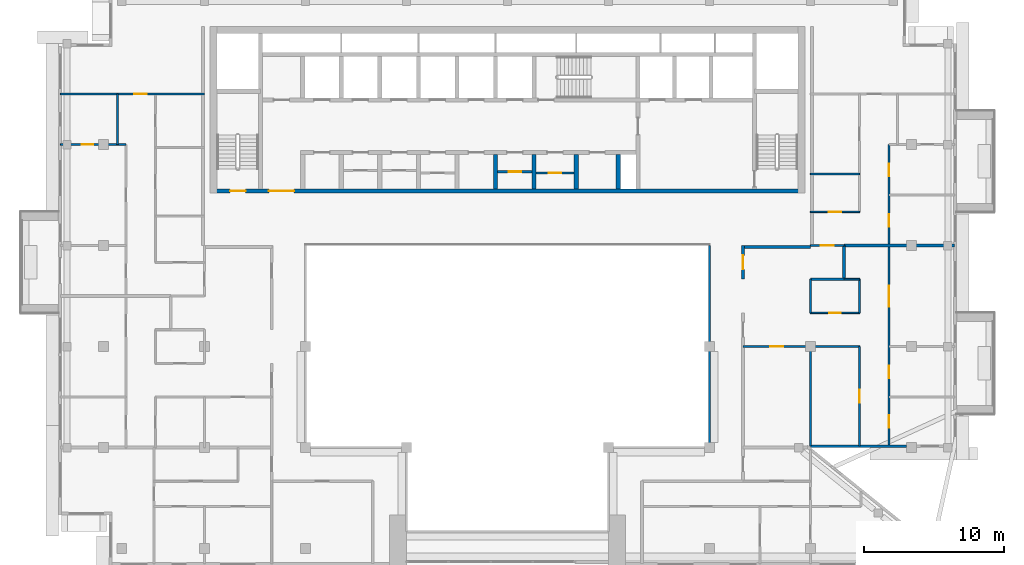
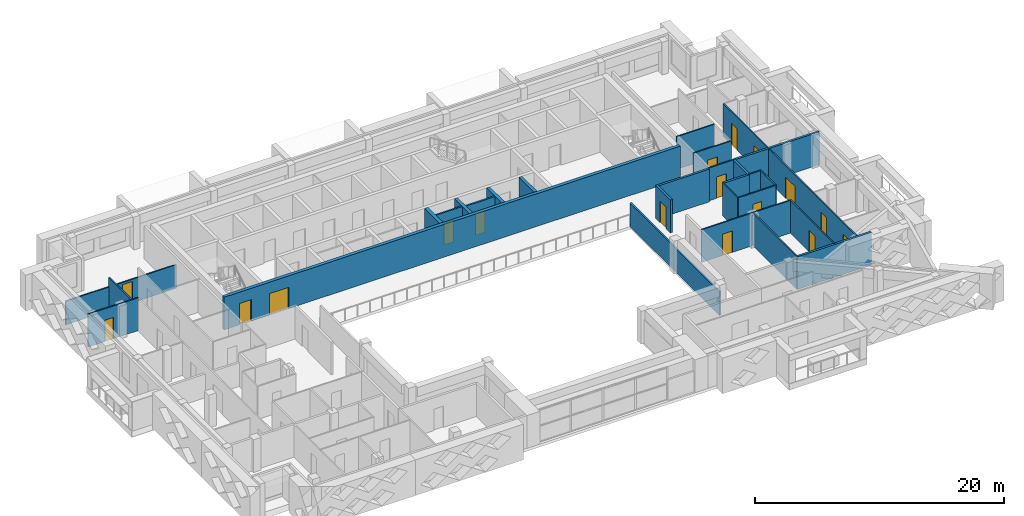
# One storey, part 9 of 19: 28 walls, 17 doors, 17 openings.
"""IFC4 building model written with IfcOpenShell, lengths in metres."""

import ifcopenshell
import ifcopenshell.guid

model = None  # the IFC model being written
_history = None  # IfcOwnerHistory: only IFC2X3 demands one
_inside = {}  # id of a spatial element -> (the spatial element, [elements in it])
_under = {}  # id of a project, library or spatial element -> (it, [spatial elements below it])
_declared = {}  # id of a project -> (the project, [libraries it declares])
_typed = {}  # id of a type object -> (the type object, [elements of that type])
_made_of = {}  # id of a material, layer set ... -> (it, [elements and type objects made of it])


def new_model(schema):
    """Start an empty IFC model of exactly this schema.

    Asked for "IFC4X3", IfcOpenShell would pick the latest addendum, in which some entities
    have other attributes; the version numbers below select the first issue.
    IFC2X3 requires an IfcOwnerHistory on every rooted entity: one is made here for all.
    """
    global model, _history
    if schema == "IFC4X3":
        model = ifcopenshell.file(schema_version=(4, 3, 0, 0))
    else:
        model = ifcopenshell.file(schema=schema)
    _inside.clear()
    _under.clear()
    _declared.clear()
    _typed.clear()
    _made_of.clear()
    _history = None
    if model.schema == "IFC2X3":
        org = make("IfcOrganization", Name="unknown")
        user = make(
            "IfcPersonAndOrganization",
            ThePerson=make("IfcPerson", FamilyName="unknown"),
            TheOrganization=org,
        )
        app = make(
            "IfcApplication",
            ApplicationDeveloper=org,
            Version="unknown",
            ApplicationFullName="unknown",
            ApplicationIdentifier="unknown",
        )
        _history = make(
            "IfcOwnerHistory",
            OwningUser=user,
            OwningApplication=app,
            ChangeAction="ADDED",
            CreationDate=0,
        )
    return model


def make(cls, **values):
    """One entity of the class cls with the attributes given. An attribute that is None is left unset."""
    return model.create_entity(
        cls, **{name: value for name, value in values.items() if value is not None}
    )


def rooted(cls, **values):
    """An entity with a GlobalId (a new one), such as an element, a storey or a relation."""
    return make(cls, GlobalId=ifcopenshell.guid.new(), OwnerHistory=_history, **values)


def si_unit(unit_type, name, prefix=None):
    """IfcSIUnit, for example si_unit("LENGTHUNIT", "METRE", prefix="MILLI")."""
    return make("IfcSIUnit", UnitType=unit_type, Prefix=prefix, Name=name)


def assignment(units):
    """IfcUnitAssignment: the units of a project."""
    return None if units is None else make("IfcUnitAssignment", Units=units)


def point(xyz):
    """IfcCartesianPoint."""
    return None if xyz is None else make("IfcCartesianPoint", Coordinates=xyz)


def direction(xyz):
    """IfcDirection."""
    return None if xyz is None else make("IfcDirection", DirectionRatios=xyz)


def frame(location, z_axis=None, x_axis=None):
    """IfcAxis2Placement3D, a coordinate frame: its origin and axes. An axis left out is left unset."""
    return make(
        "IfcAxis2Placement3D",
        Location=point(location),
        Axis=direction(z_axis),
        RefDirection=direction(x_axis),
    )


def frame_2d(location, x_axis=None):
    """IfcAxis2Placement2D, a coordinate frame in the plane: its origin and x axis."""
    return make(
        "IfcAxis2Placement2D", Location=point(location), RefDirection=direction(x_axis)
    )


def origin():
    """The frame at (0, 0, 0) with its axes left unset."""
    return frame((0.0, 0.0, 0.0))


def place(relative_to, where):
    """IfcLocalPlacement: puts the frame where relative to a parent placement (None: the world)."""
    return make(
        "IfcLocalPlacement", PlacementRelTo=relative_to, RelativePlacement=where
    )


def context(
    kind, dimensions, precision=None, world=None, true_north=None, identifier=None
):
    """IfcGeometricRepresentationContext, for example the 3D "Model" context."""
    return make(
        "IfcGeometricRepresentationContext",
        ContextIdentifier=identifier,
        ContextType=kind,
        CoordinateSpaceDimension=dimensions,
        Precision=precision,
        WorldCoordinateSystem=world,
        TrueNorth=true_north,
    )


def subcontext(parent, identifier, kind, view, scale=None):
    """IfcGeometricRepresentationSubContext, for example "Body" below "Model"."""
    return make(
        "IfcGeometricRepresentationSubContext",
        ContextIdentifier=identifier,
        ContextType=kind,
        ParentContext=parent,
        TargetScale=scale,
        TargetView=view,
    )


def project(units=None, contexts=None):
    """IfcProject with its units and contexts."""
    return rooted(
        "IfcProject",
        Name="project",
        RepresentationContexts=contexts,
        UnitsInContext=assignment(units),
    )


def spatial(cls, under=None, at=None, **own):
    """A site, building, storey or space (cls), placed at a placement, below another one or the project."""
    s = rooted(cls, ObjectPlacement=at, **own)
    if under is not None:
        _under.setdefault(under.id(), (under, []))[1].append(s)
    return s


def profile(cls, at=None, kind="AREA", **sizes):
    """A parametric profile (cls). Its sizes go by their IFC names, for example OverallWidth=200.0."""
    return make(cls, ProfileType=kind, Position=at, **sizes)


def rectangle(**sizes):
    """IfcRectangleProfileDef."""
    return profile("IfcRectangleProfileDef", **sizes)


def extrude(swept, where, along, depth):
    """IfcExtrudedAreaSolid: the profile swept, set in the frame where, extruded along a direction by depth."""
    return make(
        "IfcExtrudedAreaSolid",
        SweptArea=swept,
        Position=where,
        ExtrudedDirection=direction(along),
        Depth=depth,
    )


def shape(context_of_items, identifier, shape_type, items):
    """IfcShapeRepresentation: the items that make up one representation, for example the "Body"."""
    return make(
        "IfcShapeRepresentation",
        ContextOfItems=context_of_items,
        RepresentationIdentifier=identifier,
        RepresentationType=shape_type,
        Items=items,
    )


def material(Name=None, Category=None):
    """IfcMaterial."""
    return make("IfcMaterial", Name=Name, Category=Category)


def layer(
    of_material, thickness, ventilated=None, Name=None, Category=None, Priority=None
):
    """IfcMaterialLayer: one layer of a wall or slab, of a material (None: an air gap)."""
    return make(
        "IfcMaterialLayer",
        Material=of_material,
        LayerThickness=thickness,
        IsVentilated=ventilated,
        Name=Name,
        Category=Category,
        Priority=Priority,
    )


def layer_set(layers, Name=None):
    """IfcMaterialLayerSet."""
    return make("IfcMaterialLayerSet", MaterialLayers=layers, LayerSetName=Name)


def made_of(thing, what):
    """Note that an element or type object is made of a material, layer set ...; save() writes the relation."""
    if what is not None:
        _made_of.setdefault(what.id(), (what, []))[1].append(thing)
    return thing


def type_object(cls, material=None, **own):
    """A type object (cls), such as IfcWallType, which elements share."""
    return made_of(rooted(cls, **own), material)


def element(
    cls,
    number,
    at=None,
    inside=None,
    cuts=None,
    type_object=None,
    material=None,
    context=None,
    identifier="Body",
    shape_type=None,
    held_by="IfcProductDefinitionShape",
    body=None,
    shapes=None,
    **own,
):
    """One element of the class cls, such as IfcWall. Its Tag is "e" and its number.

    at: its placement. inside: the storey or other place that contains it. cuts: it is an
    opening in that element (IfcRelVoidsElement). A single representation is given by context,
    identifier, shape_type and body (its items); several are given by shapes. held_by: the class
    of the entity that holds the representations. save() writes the other relations.
    """
    e = rooted(cls, Tag="e%d" % number, ObjectPlacement=at, **own)
    if body is not None:
        shapes = [shape(context, identifier, shape_type, body)]
    if shapes is not None:
        e.Representation = make(held_by, Representations=shapes)
    if inside is not None:
        _inside.setdefault(inside.id(), (inside, []))[1].append(e)
    if cuts is not None:
        rooted(
            "IfcRelVoidsElement", RelatingBuildingElement=cuts, RelatedOpeningElement=e
        )
    if type_object is not None:
        _typed.setdefault(type_object.id(), (type_object, []))[1].append(e)
    return made_of(e, material)


def fill(opening, filler):
    """IfcRelFillsElement: the door or window that sits in an opening."""
    return rooted(
        "IfcRelFillsElement",
        RelatingOpeningElement=opening,
        RelatedBuildingElement=filler,
    )


def aggregate(whole, parts):
    """IfcRelAggregates: a whole, such as a stair, and the parts it consists of."""
    return rooted("IfcRelAggregates", RelatingObject=whole, RelatedObjects=parts)


def save(model, path):
    """Write the relations noted so far, then the file.

    IfcRelAggregates (storeys below a building ...), IfcRelContainedInSpatialStructure (elements
    in a storey), IfcRelDefinesByType, IfcRelAssociatesMaterial and IfcRelDeclares: one each for
    every whole, place, type object, material and project.
    """
    for whole, parts in _under.values():
        aggregate(whole, parts)
    for where, things in _inside.values():
        rooted(
            "IfcRelContainedInSpatialStructure",
            RelatedElements=things,
            RelatingStructure=where,
        )
    for kind, things in _typed.values():
        rooted("IfcRelDefinesByType", RelatedObjects=things, RelatingType=kind)
    for what, things in _made_of.values():
        rooted("IfcRelAssociatesMaterial", RelatedObjects=things, RelatingMaterial=what)
    for by, libraries in _declared.values():
        rooted("IfcRelDeclares", RelatingContext=by, RelatedDefinitions=libraries)
    model.write(path)


model = new_model("IFC4")

# Units and contexts
model_context = context("Model", 3, precision=1e-05, world=origin(), true_north=direction((0.0, 1.0)))
body_context = subcontext(model_context, "Body", "Model", "MODEL_VIEW")
ifc_project = project(units=[si_unit("LENGTHUNIT", "METRE"), si_unit("AREAUNIT", "SQUARE_METRE"), si_unit("VOLUMEUNIT", "CUBIC_METRE"), si_unit("PLANEANGLEUNIT", "RADIAN"), si_unit("MASSUNIT", "GRAM", prefix="KILO")], contexts=[model_context])

# Site, building, storey
site_placement = place(None, origin())
site = spatial("IfcSite", under=ifc_project, at=site_placement, CompositionType="ELEMENT")
building_placement = place(site_placement, origin())
building = spatial("IfcBuilding", under=site, at=building_placement, Name="Saffron Iwan Residences", CompositionType="ELEMENT")
storey_placement = place(building_placement, frame((0.0, 0.0, 253.5)))
storey = spatial("IfcBuildingStorey", under=building, at=storey_placement, Name="L68", CompositionType="ELEMENT", Elevation=253.5)

# Wall
ifc_material_1 = material(Name="Fire-rated glazing", Category="glass")
ifc_layer_1 = layer(ifc_material_1, 0.14990234375)
ifc_layer_set_1 = layer_set([ifc_layer_1], Name="Fire-rated glazing")
wall_type_1 = type_object("IfcWallType", Name="Atrium glazed screen 150", PredefinedType="SOLIDWALL", material=ifc_layer_set_1)
wall_1_placement = place(storey_placement, frame((64.800048828125, 48.0, 0.0), z_axis=(0.0, 0.0, 1.0), x_axis=(0.0, 1.0, 0.0)))
element("IfcWall", 1, at=wall_1_placement, inside=storey, type_object=wall_type_1, Name="W-L68-SCREEN-v64.8-48", PredefinedType="SOLIDWALL", context=body_context, shape_type="SweptSolid", body=[
    extrude(rectangle(XDim=14.39990234375, YDim=0.14990234375, at=frame_2d((7.199951171875, 0.0))), origin(), (0.0, 0.0, 1.0), 2.320068359375),
])

# Wall, opening, door
ifc_material_2 = material(Name="Fire-rated plasterboard partition")
ifc_layer_2 = layer(ifc_material_2, 0.14990234375)
ifc_layer_set_2 = layer_set([ifc_layer_2], Name="Fire-rated plasterboard partition")
wall_type_2 = type_object("IfcWallType", Name="Core partition 150", PredefinedType="PARTITIONING", material=ifc_layer_set_2)
wall_2_placement = place(storey_placement, frame((49.699951171875, 67.66259765625, 0.0), z_axis=(0.0, 0.0, 1.0), x_axis=(1.0, 0.0, 0.0)))
wall_2 = element("IfcWall", 2, at=wall_2_placement, inside=storey, type_object=wall_type_2, Name="Core partition P04", PredefinedType="PARTITIONING", context=body_context, shape_type="SweptSolid", body=[
    extrude(rectangle(XDim=2.449951171875, YDim=0.14990234375, at=frame_2d((1.22509765625, 0.0))), origin(), (0.0, 0.0, 1.0), 3.219970703125),
])
opening_1_placement = place(wall_2_placement, frame((0.77490234375, 0.0, 0.0)))
opening_1 = element("IfcOpeningElement", 3, at=opening_1_placement, cuts=wall_2, Name="Opening SB", PredefinedType="OPENING", context=body_context, shape_type="SweptSolid", body=[
    extrude(rectangle(XDim=0.89990234375, YDim=2.10009765625, at=frame_2d((0.449951171875, 1.050048828125))), frame((0.0, 0.0849609375, 0.0), z_axis=(0.0, -1.0, 0.0), x_axis=(1.0, 0.0, 0.0)), (0.0, 0.0, 1.0), 0.169921875),
])
ifc_material_3 = material(Name="Steel fire door", Category="steel")
door_type_1 = type_object("IfcDoorType", Name="Store door 900", OperationType="NOTDEFINED", PredefinedType="DOOR", material=ifc_material_3)
door_1_placement = place(opening_1_placement, origin())
door_1 = element("IfcDoor", 4, at=door_1_placement, inside=storey, type_object=door_type_1, Name="Door Records store", OperationType="SINGLE_SWING_LEFT", OverallHeight=2.10009765625, OverallWidth=0.89990234375, PredefinedType="DOOR", context=body_context, shape_type="SweptSolid", body=[
    extrude(rectangle(XDim=0.89990234375, YDim=2.10009765625, at=frame_2d((0.449951171875, 1.050048828125))), frame((0.0, 0.02490234375, 0.0), z_axis=(0.0, -1.0, 0.0), x_axis=(1.0, 0.0, 0.0)), (0.0, 0.0, 1.0), 0.050048828125),
])
fill(opening_1, door_1)

wall_3_placement = place(storey_placement, frame((52.449951171875, 67.5654296875, 0.0), z_axis=(0.0, 0.0, 1.0), x_axis=(1.0, 0.0, 0.0)))
wall_3 = element("IfcWall", 5, at=wall_3_placement, inside=storey, type_object=wall_type_2, Name="Core partition P05", PredefinedType="PARTITIONING", context=body_context, shape_type="SweptSolid", body=[
    extrude(rectangle(XDim=2.699951171875, YDim=0.14990234375, at=frame_2d((1.35009765625, 0.0))), origin(), (0.0, 0.0, 1.0), 3.219970703125),
])
opening_2_placement = place(wall_3_placement, frame((0.89990234375, 0.0, 0.0)))
opening_2 = element("IfcOpeningElement", 6, at=opening_2_placement, cuts=wall_3, Name="Opening SB", PredefinedType="OPENING", context=body_context, shape_type="SweptSolid", body=[
    extrude(rectangle(XDim=0.89990234375, YDim=2.10009765625, at=frame_2d((0.449951171875, 1.050048828125))), frame((0.0, 0.0849609375, 0.0), z_axis=(0.0, -1.0, 0.0), x_axis=(1.0, 0.0, 0.0)), (0.0, 0.0, 1.0), 0.169921875),
])
door_2_placement = place(opening_2_placement, origin())
door_2 = element("IfcDoor", 7, at=door_2_placement, inside=storey, type_object=door_type_1, Name="Door Equipment store", OperationType="SINGLE_SWING_RIGHT", OverallHeight=2.10009765625, OverallWidth=0.89990234375, PredefinedType="DOOR", context=body_context, shape_type="SweptSolid", body=[
    extrude(rectangle(XDim=0.89990234375, YDim=2.10009765625, at=frame_2d((0.449951171875, 1.050048828125))), frame((0.0, 0.02490234375, 0.0), z_axis=(0.0, -1.0, 0.0), x_axis=(1.0, 0.0, 0.0)), (0.0, 0.0, 1.0), 0.050048828125),
])
fill(opening_2, door_2)

# Walls
ifc_material_4 = material(Name="Concrete C40/50", Category="concrete")
ifc_layer_3 = layer(ifc_material_4, 0.199951171875)
ifc_layer_set_3 = layer_set([ifc_layer_3], Name="Concrete C40/50")
wall_type_3 = type_object("IfcWallType", Name="EXTERNAL WALL 200", PredefinedType="SOLIDWALL", material=ifc_layer_set_3)
wall_4_placement = place(storey_placement, frame((71.987060546875, 48.10009765625, 0.0), z_axis=(0.0, 0.0, 1.0), x_axis=(1.0, 0.0, 0.0)))
element("IfcWall", 8, at=wall_4_placement, inside=storey, type_object=wall_type_3, Name="External wall L68 F1.0", PredefinedType="SOLIDWALL", context=body_context, shape_type="SweptSolid", body=[
    extrude(rectangle(XDim=6.863037109375, YDim=0.199951171875, at=frame_2d((3.431640625, 0.0))), origin(), (0.0, 0.0, 1.0), 3.219970703125),
])
ifc_material_5 = material(Name="Fire-rated gypsum board wall")
ifc_layer_4 = layer(ifc_material_5, 0.199951171875)
ifc_layer_set_4 = layer_set([ifc_layer_4], Name="Fire-rated gypsum board wall")
wall_type_4 = type_object("IfcWallType", Name="Flat demising wall 200", PredefinedType="SOLIDWALL", material=ifc_layer_set_4)
wall_5_placement = place(storey_placement, frame((72.0, 60.0, 0.0), z_axis=(0.0, 0.0, 1.0), x_axis=(1.0, 0.0, 0.0)))
element("IfcWall", 9, at=wall_5_placement, inside=storey, type_object=wall_type_4, Name="W-L68-DEMISE-h60-72", PredefinedType="SOLIDWALL", context=body_context, shape_type="SweptSolid", body=[
    extrude(rectangle(XDim=2.39990234375, YDim=0.199951171875, at=frame_2d((1.199951171875, 0.0))), origin(), (0.0, 0.0, 1.0), 3.219970703125),
])
wall_6_placement = place(storey_placement, frame((74.39990234375, 62.39990234375, 0.0), z_axis=(0.0, 0.0, 1.0), x_axis=(1.0, 0.0, 0.0)))
element("IfcWall", 10, at=wall_6_placement, inside=storey, type_object=wall_type_4, Name="W-L68-DEMISE-h62.4-74.4", PredefinedType="SOLIDWALL", context=body_context, shape_type="SweptSolid", body=[
    extrude(rectangle(XDim=7.875, YDim=0.199951171875, at=frame_2d((3.9375, 0.0))), origin(), (0.0, 0.0, 1.0), 3.219970703125),
])
wall_7_placement = place(storey_placement, frame((74.39990234375, 60.0, 0.0), z_axis=(0.0, 0.0, 1.0), x_axis=(0.0, 1.0, 0.0)))
element("IfcWall", 11, at=wall_7_placement, inside=storey, type_object=wall_type_4, Name="W-L68-DEMISE-v74.4-60", PredefinedType="SOLIDWALL", context=body_context, shape_type="SweptSolid", body=[
    extrude(rectangle(XDim=2.39990234375, YDim=0.199951171875, at=frame_2d((1.199951171875, 0.0))), origin(), (0.0, 0.0, 1.0), 3.219970703125),
])

# Wall, opening, door
ifc_material_6 = material(Name="Gypsum board partition")
ifc_layer_5 = layer(ifc_material_6, 0.1201171875)
ifc_layer_set_5 = layer_set([ifc_layer_5], Name="Gypsum board partition")
wall_type_5 = type_object("IfcWallType", Name="Flat partition 120", PredefinedType="PARTITIONING", material=ifc_layer_set_5)
wall_8_placement = place(storey_placement, frame((67.199951171875, 55.199951171875, 0.0), z_axis=(0.0, 0.0, 1.0), x_axis=(1.0, 0.0, 0.0)))
wall_8 = element("IfcWall", 12, at=wall_8_placement, inside=storey, type_object=wall_type_5, Name="W-L68-PART-h55.2-67.2", PredefinedType="PARTITIONING", context=body_context, shape_type="SweptSolid", body=[
    extrude(rectangle(XDim=8.300048828125, YDim=0.1201171875, at=frame_2d((4.14990234375, 0.0))), origin(), (0.0, 0.0, 1.0), 3.219970703125),
])
opening_3_placement = place(wall_8_placement, frame((1.949951171875, 0.0, 0.0)))
opening_3 = element("IfcOpeningElement", 13, at=opening_3_placement, cuts=wall_8, Name="Opening FD2", PredefinedType="OPENING", context=body_context, shape_type="SweptSolid", body=[
    extrude(rectangle(XDim=0.89990234375, YDim=2.10009765625, at=frame_2d((0.449951171875, 1.050048828125))), frame((0.0, 0.070068359375, 0.0), z_axis=(0.0, -1.0, 0.0), x_axis=(1.0, 0.0, 0.0)), (0.0, 0.0, 1.0), 0.14013671875),
])
ifc_material_7 = material(Name="Timber door", Category="wood")
door_type_2 = type_object("IfcDoorType", Name="Flat door 900", OperationType="NOTDEFINED", PredefinedType="DOOR", material=ifc_material_7)
door_3_placement = place(opening_3_placement, origin())
door_3 = element("IfcDoor", 14, at=door_3_placement, inside=storey, type_object=door_type_2, Name="Door L68-019", OperationType="SINGLE_SWING_LEFT", OverallHeight=2.10009765625, OverallWidth=0.89990234375, PredefinedType="DOOR", context=body_context, shape_type="SweptSolid", body=[
    extrude(rectangle(XDim=0.89990234375, YDim=2.10009765625, at=frame_2d((0.449951171875, 1.050048828125))), frame((0.0, 0.02490234375, 0.0), z_axis=(0.0, -1.0, 0.0), x_axis=(1.0, 0.0, 0.0)), (0.0, 0.0, 1.0), 0.050048828125),
])
fill(opening_3, door_3)

wall_9_placement = place(storey_placement, frame((72.0, 57.60009765625, 0.0), z_axis=(0.0, 0.0, 1.0), x_axis=(1.0, 0.0, 0.0)))
wall_9 = element("IfcWall", 15, at=wall_9_placement, inside=storey, type_object=wall_type_5, Name="W-L68-PART-h57.6-72", PredefinedType="PARTITIONING", context=body_context, shape_type="SweptSolid", body=[
    extrude(rectangle(XDim=3.5, YDim=0.1201171875, at=frame_2d((1.75, 0.0))), origin(), (0.0, 0.0, 1.0), 3.219970703125),
])
opening_4_placement = place(wall_9_placement, frame((1.35009765625, 0.0, 0.0)))
opening_4 = element("IfcOpeningElement", 16, at=opening_4_placement, cuts=wall_9, Name="Opening FD3", PredefinedType="OPENING", context=body_context, shape_type="SweptSolid", body=[
    extrude(rectangle(XDim=0.800048828125, YDim=2.10009765625, at=frame_2d((0.39990234375, 1.050048828125))), frame((0.0, 0.070068359375, 0.0), z_axis=(0.0, -1.0, 0.0), x_axis=(1.0, 0.0, 0.0)), (0.0, 0.0, 1.0), 0.14013671875),
])
door_type_3 = type_object("IfcDoorType", Name="Bathroom door 800", OperationType="NOTDEFINED", PredefinedType="DOOR", material=ifc_material_7)
door_4_placement = place(opening_4_placement, origin())
door_4 = element("IfcDoor", 17, at=door_4_placement, inside=storey, type_object=door_type_3, Name="Door L68-018", OperationType="SINGLE_SWING_LEFT", OverallHeight=2.10009765625, OverallWidth=0.800048828125, PredefinedType="DOOR", context=body_context, shape_type="SweptSolid", body=[
    extrude(rectangle(XDim=0.800048828125, YDim=2.10009765625, at=frame_2d((0.39990234375, 1.050048828125))), frame((0.0, 0.02490234375, 0.0), z_axis=(0.0, -1.0, 0.0), x_axis=(1.0, 0.0, 0.0)), (0.0, 0.0, 1.0), 0.050048828125),
])
fill(opening_4, door_4)

# Wall
wall_10_placement = place(storey_placement, frame((74.39990234375, 60.0, 0.0), z_axis=(0.0, 0.0, 1.0), x_axis=(1.0, 0.0, 0.0)))
element("IfcWall", 18, at=wall_10_placement, inside=storey, type_object=wall_type_5, Name="W-L68-PART-h60-74.4", PredefinedType="PARTITIONING", context=body_context, shape_type="SweptSolid", body=[
    extrude(rectangle(XDim=1.10009765625, YDim=0.1201171875, at=frame_2d((0.550048828125, 0.0))), origin(), (0.0, 0.0, 1.0), 3.219970703125),
])

# Wall, opening, door
wall_11_placement = place(storey_placement, frame((72.0, 62.39990234375, 0.0), z_axis=(0.0, 0.0, 1.0), x_axis=(1.0, 0.0, 0.0)))
wall_11 = element("IfcWall", 19, at=wall_11_placement, inside=storey, type_object=wall_type_5, Name="W-L68-PART-h62.4-72", PredefinedType="PARTITIONING", context=body_context, shape_type="SweptSolid", body=[
    extrude(rectangle(XDim=2.39990234375, YDim=0.1201171875, at=frame_2d((1.199951171875, 0.0))), origin(), (0.0, 0.0, 1.0), 3.219970703125),
])
opening_5_placement = place(wall_11_placement, frame((0.75, 0.0, 0.0)))
opening_5 = element("IfcOpeningElement", 20, at=opening_5_placement, cuts=wall_11, Name="Opening FD2", PredefinedType="OPENING", context=body_context, shape_type="SweptSolid", body=[
    extrude(rectangle(XDim=0.89990234375, YDim=2.10009765625, at=frame_2d((0.449951171875, 1.050048828125))), frame((0.0, 0.070068359375, 0.0), z_axis=(0.0, -1.0, 0.0), x_axis=(1.0, 0.0, 0.0)), (0.0, 0.0, 1.0), 0.14013671875),
])
door_5_placement = place(opening_5_placement, origin())
door_5 = element("IfcDoor", 21, at=door_5_placement, inside=storey, type_object=door_type_2, Name="Door L68-029", OperationType="SINGLE_SWING_RIGHT", OverallHeight=2.10009765625, OverallWidth=0.89990234375, PredefinedType="DOOR", context=body_context, shape_type="SweptSolid", body=[
    extrude(rectangle(XDim=0.89990234375, YDim=2.10009765625, at=frame_2d((0.449951171875, 1.050048828125))), frame((0.0, 0.02490234375, 0.0), z_axis=(0.0, -1.0, 0.0), x_axis=(1.0, 0.0, 0.0)), (0.0, 0.0, 1.0), 0.050048828125),
])
fill(opening_5, door_5)

wall_12_placement = place(storey_placement, frame((72.0, 64.800048828125, 0.0), z_axis=(0.0, 0.0, 1.0), x_axis=(1.0, 0.0, 0.0)))
wall_12 = element("IfcWall", 22, at=wall_12_placement, inside=storey, type_object=wall_type_5, Name="W-L68-PART-h64.8-72", PredefinedType="PARTITIONING", context=body_context, shape_type="SweptSolid", body=[
    extrude(rectangle(XDim=3.5, YDim=0.1201171875, at=frame_2d((1.75, 0.0))), origin(), (0.0, 0.0, 1.0), 3.219970703125),
])
opening_6_placement = place(wall_12_placement, frame((1.300048828125, 0.0, 0.0)))
opening_6 = element("IfcOpeningElement", 23, at=opening_6_placement, cuts=wall_12, Name="Opening FD2", PredefinedType="OPENING", context=body_context, shape_type="SweptSolid", body=[
    extrude(rectangle(XDim=0.89990234375, YDim=2.10009765625, at=frame_2d((0.449951171875, 1.050048828125))), frame((0.0, 0.070068359375, 0.0), z_axis=(0.0, -1.0, 0.0), x_axis=(1.0, 0.0, 0.0)), (0.0, 0.0, 1.0), 0.14013671875),
])
door_6_placement = place(opening_6_placement, origin())
door_6 = element("IfcDoor", 24, at=door_6_placement, inside=storey, type_object=door_type_2, Name="Door L68-035", OperationType="SINGLE_SWING_RIGHT", OverallHeight=2.10009765625, OverallWidth=0.89990234375, PredefinedType="DOOR", context=body_context, shape_type="SweptSolid", body=[
    extrude(rectangle(XDim=0.89990234375, YDim=2.10009765625, at=frame_2d((0.449951171875, 1.050048828125))), frame((0.0, 0.02490234375, 0.0), z_axis=(0.0, -1.0, 0.0), x_axis=(1.0, 0.0, 0.0)), (0.0, 0.0, 1.0), 0.050048828125),
])
fill(opening_6, door_6)

# Wall
wall_13_placement = place(storey_placement, frame((72.0, 67.5, 0.0), z_axis=(0.0, 0.0, 1.0), x_axis=(1.0, 0.0, 0.0)))
element("IfcWall", 25, at=wall_13_placement, inside=storey, type_object=wall_type_5, Name="W-L68-PART-h67.5-72", PredefinedType="PARTITIONING", context=body_context, shape_type="SweptSolid", body=[
    extrude(rectangle(XDim=3.5, YDim=0.1201171875, at=frame_2d((1.75, 0.0))), origin(), (0.0, 0.0, 1.0), 3.219970703125),
])

# Wall, opening, door
wall_14_placement = place(storey_placement, frame((18.52490234375, 69.60009765625, 0.0), z_axis=(0.0, 0.0, 1.0), x_axis=(1.0, 0.0, 0.0)))
wall_14 = element("IfcWall", 26, at=wall_14_placement, inside=storey, type_object=wall_type_5, Name="W-L68-PART-h69.6-18.525", PredefinedType="PARTITIONING", context=body_context, shape_type="SweptSolid", body=[
    extrude(rectangle(XDim=4.675048828125, YDim=0.1201171875, at=frame_2d((2.33740234375, 0.0))), origin(), (0.0, 0.0, 1.0), 3.219970703125),
])
opening_7_placement = place(wall_14_placement, frame((1.53759765625, 0.0, 0.0)))
opening_7 = element("IfcOpeningElement", 27, at=opening_7_placement, cuts=wall_14, Name="Opening FD3", PredefinedType="OPENING", context=body_context, shape_type="SweptSolid", body=[
    extrude(rectangle(XDim=0.800048828125, YDim=2.10009765625, at=frame_2d((0.39990234375, 1.050048828125))), frame((0.0, 0.070068359375, 0.0), z_axis=(0.0, -1.0, 0.0), x_axis=(1.0, 0.0, 0.0)), (0.0, 0.0, 1.0), 0.14013671875),
])
door_7_placement = place(opening_7_placement, origin())
door_7 = element("IfcDoor", 28, at=door_7_placement, inside=storey, type_object=door_type_3, Name="Door L68-024", OperationType="SINGLE_SWING_RIGHT", OverallHeight=2.10009765625, OverallWidth=0.800048828125, PredefinedType="DOOR", context=body_context, shape_type="SweptSolid", body=[
    extrude(rectangle(XDim=0.800048828125, YDim=2.10009765625, at=frame_2d((0.39990234375, 1.050048828125))), frame((0.0, 0.02490234375, 0.0), z_axis=(0.0, -1.0, 0.0), x_axis=(1.0, 0.0, 0.0)), (0.0, 0.0, 1.0), 0.050048828125),
])
fill(opening_7, door_7)

wall_15_placement = place(storey_placement, frame((18.52490234375, 73.199951171875, 0.0), z_axis=(0.0, 0.0, 1.0), x_axis=(1.0, 0.0, 0.0)))
wall_15 = element("IfcWall", 29, at=wall_15_placement, inside=storey, type_object=wall_type_5, Name="W-L68-PART-h73.2-18.525", PredefinedType="PARTITIONING", context=body_context, shape_type="SweptSolid", body=[
    extrude(rectangle(XDim=10.275146484375, YDim=0.1201171875, at=frame_2d((5.1376953125, 0.0))), origin(), (0.0, 0.0, 1.0), 2.320068359375),
])
opening_8_placement = place(wall_15_placement, frame((5.27490234375, 0.0, 0.0)))
opening_8 = element("IfcOpeningElement", 30, at=opening_8_placement, cuts=wall_15, Name="Opening FD2", PredefinedType="OPENING", context=body_context, shape_type="SweptSolid", body=[
    extrude(rectangle(XDim=0.89990234375, YDim=2.10009765625, at=frame_2d((0.449951171875, 1.050048828125))), frame((0.0, 0.070068359375, 0.0), z_axis=(0.0, -1.0, 0.0), x_axis=(1.0, 0.0, 0.0)), (0.0, 0.0, 1.0), 0.14013671875),
])
door_8_placement = place(opening_8_placement, origin())
door_8 = element("IfcDoor", 31, at=door_8_placement, inside=storey, type_object=door_type_2, Name="Door L68-025", OperationType="SINGLE_SWING_LEFT", OverallHeight=2.10009765625, OverallWidth=0.89990234375, PredefinedType="DOOR", context=body_context, shape_type="SweptSolid", body=[
    extrude(rectangle(XDim=0.89990234375, YDim=2.10009765625, at=frame_2d((0.449951171875, 1.050048828125))), frame((0.0, 0.02490234375, 0.0), z_axis=(0.0, -1.0, 0.0), x_axis=(1.0, 0.0, 0.0)), (0.0, 0.0, 1.0), 0.050048828125),
])
fill(opening_8, door_8)

# Walls
wall_16_placement = place(storey_placement, frame((22.60009765625, 69.60009765625, 0.0), z_axis=(0.0, 0.0, 1.0), x_axis=(0.0, 1.0, 0.0)))
element("IfcWall", 32, at=wall_16_placement, inside=storey, type_object=wall_type_5, Name="W-L68-PART-v22.6-69.6", PredefinedType="PARTITIONING", context=body_context, shape_type="SweptSolid", body=[
    extrude(rectangle(XDim=3.599853515625, YDim=0.1201171875, at=frame_2d((1.7998046875, 0.0))), origin(), (0.0, 0.0, 1.0), 3.219970703125),
])
wall_17_placement = place(storey_placement, frame((72.0, 48.125, 0.0), z_axis=(0.0, 0.0, 1.0), x_axis=(0.0, 1.0, 0.0)))
element("IfcWall", 33, at=wall_17_placement, inside=storey, type_object=wall_type_5, Name="W-L68-PART-v72-48.125", PredefinedType="PARTITIONING", context=body_context, shape_type="SweptSolid", body=[
    extrude(rectangle(XDim=7.074951171875, YDim=0.1201171875, at=frame_2d((3.53759765625, 0.0))), origin(), (0.0, 0.0, 1.0), 3.219970703125),
])
wall_18_placement = place(storey_placement, frame((72.0, 57.60009765625, 0.0), z_axis=(0.0, 0.0, 1.0), x_axis=(0.0, 1.0, 0.0)))
element("IfcWall", 34, at=wall_18_placement, inside=storey, type_object=wall_type_5, Name="W-L68-PART-v72-57.6", PredefinedType="PARTITIONING", context=body_context, shape_type="SweptSolid", body=[
    extrude(rectangle(XDim=2.39990234375, YDim=0.1201171875, at=frame_2d((1.199951171875, 0.0))), origin(), (0.0, 0.0, 1.0), 3.219970703125),
])

# Wall, opening, door
wall_19_placement = place(storey_placement, frame((75.5, 48.125, 0.0), z_axis=(0.0, 0.0, 1.0), x_axis=(0.0, 1.0, 0.0)))
wall_19 = element("IfcWall", 35, at=wall_19_placement, inside=storey, type_object=wall_type_5, Name="W-L68-PART-v75.5-48.125", PredefinedType="PARTITIONING", context=body_context, shape_type="SweptSolid", body=[
    extrude(rectangle(XDim=7.074951171875, YDim=0.1201171875, at=frame_2d((3.53759765625, 0.0))), origin(), (0.0, 0.0, 1.0), 3.219970703125),
])
opening_9_placement = place(wall_19_placement, frame((3.08740234375, 0.0, 0.0)))
opening_9 = element("IfcOpeningElement", 36, at=opening_9_placement, cuts=wall_19, Name="Opening FD2", PredefinedType="OPENING", context=body_context, shape_type="SweptSolid", body=[
    extrude(rectangle(XDim=0.89990234375, YDim=2.10009765625, at=frame_2d((0.449951171875, 1.050048828125))), frame((0.0, 0.070068359375, 0.0), z_axis=(0.0, -1.0, 0.0), x_axis=(1.0, 0.0, 0.0)), (0.0, 0.0, 1.0), 0.14013671875),
])
door_9_placement = place(opening_9_placement, origin())
door_9 = element("IfcDoor", 37, at=door_9_placement, inside=storey, type_object=door_type_2, Name="Door L68-017", OperationType="SINGLE_SWING_RIGHT", OverallHeight=2.10009765625, OverallWidth=0.89990234375, PredefinedType="DOOR", context=body_context, shape_type="SweptSolid", body=[
    extrude(rectangle(XDim=0.89990234375, YDim=2.10009765625, at=frame_2d((0.449951171875, 1.050048828125))), frame((0.0, 0.02490234375, 0.0), z_axis=(0.0, -1.0, 0.0), x_axis=(1.0, 0.0, 0.0)), (0.0, 0.0, 1.0), 0.050048828125),
])
fill(opening_9, door_9)

# Wall
wall_20_placement = place(storey_placement, frame((75.5, 57.60009765625, 0.0), z_axis=(0.0, 0.0, 1.0), x_axis=(0.0, 1.0, 0.0)))
element("IfcWall", 38, at=wall_20_placement, inside=storey, type_object=wall_type_5, Name="W-L68-PART-v75.5-57.6", PredefinedType="PARTITIONING", context=body_context, shape_type="SweptSolid", body=[
    extrude(rectangle(XDim=2.39990234375, YDim=0.1201171875, at=frame_2d((1.199951171875, 0.0))), origin(), (0.0, 0.0, 1.0), 3.219970703125),
])

# Wall, openings, doors
wall_21_placement = place(storey_placement, frame((77.60009765625, 48.125, 0.0), z_axis=(0.0, 0.0, 1.0), x_axis=(0.0, 1.0, 0.0)))
wall_21 = element("IfcWall", 39, at=wall_21_placement, inside=storey, type_object=wall_type_5, Name="W-L68-PART-v77.6-48.125", PredefinedType="PARTITIONING", context=body_context, shape_type="SweptSolid", body=[
    extrude(rectangle(XDim=21.47509765625, YDim=0.1201171875, at=frame_2d((10.737548828125, 0.0))), origin(), (0.0, 0.0, 1.0), 3.219970703125),
])
opening_10_placement = place(wall_21_placement, frame((1.28759765625, 0.0, 0.0)))
opening_10 = element("IfcOpeningElement", 40, at=opening_10_placement, cuts=wall_21, Name="Opening FD2", PredefinedType="OPENING", context=body_context, shape_type="SweptSolid", body=[
    extrude(rectangle(XDim=0.89990234375, YDim=2.10009765625, at=frame_2d((0.449951171875, 1.050048828125))), frame((0.0, 0.070068359375, 0.0), z_axis=(0.0, -1.0, 0.0), x_axis=(1.0, 0.0, 0.0)), (0.0, 0.0, 1.0), 0.14013671875),
])
opening_11_placement = place(wall_21_placement, frame((4.824951171875, 0.0, 0.0)))
opening_11 = element("IfcOpeningElement", 41, at=opening_11_placement, cuts=wall_21, Name="Opening FD2", PredefinedType="OPENING", context=body_context, shape_type="SweptSolid", body=[
    extrude(rectangle(XDim=0.89990234375, YDim=2.10009765625, at=frame_2d((0.449951171875, 1.050048828125))), frame((0.0, 0.070068359375, 0.0), z_axis=(0.0, -1.0, 0.0), x_axis=(1.0, 0.0, 0.0)), (0.0, 0.0, 1.0), 0.14013671875),
])
opening_12_placement = place(wall_21_placement, frame((9.925048828125, 0.0, 0.0)))
opening_12 = element("IfcOpeningElement", 42, at=opening_12_placement, cuts=wall_21, Name="Opening FD4", PredefinedType="OPENING", context=body_context, shape_type="SweptSolid", body=[
    extrude(rectangle(XDim=1.5, YDim=2.10009765625, at=frame_2d((0.75, 1.050048828125))), frame((0.0, 0.070068359375, 0.0), z_axis=(0.0, -1.0, 0.0), x_axis=(1.0, 0.0, 0.0)), (0.0, 0.0, 1.0), 0.14013671875),
])
opening_13_placement = place(wall_21_placement, frame((15.625, 0.0, 0.0)))
opening_13 = element("IfcOpeningElement", 43, at=opening_13_placement, cuts=wall_21, Name="Opening FD2", PredefinedType="OPENING", context=body_context, shape_type="SweptSolid", body=[
    extrude(rectangle(XDim=0.89990234375, YDim=2.10009765625, at=frame_2d((0.449951171875, 1.050048828125))), frame((0.0, 0.070068359375, 0.0), z_axis=(0.0, -1.0, 0.0), x_axis=(1.0, 0.0, 0.0)), (0.0, 0.0, 1.0), 0.14013671875),
])
opening_14_placement = place(wall_21_placement, frame((19.22509765625, 0.0, 0.0)))
opening_14 = element("IfcOpeningElement", 44, at=opening_14_placement, cuts=wall_21, Name="Opening FD2", PredefinedType="OPENING", context=body_context, shape_type="SweptSolid", body=[
    extrude(rectangle(XDim=0.89990234375, YDim=2.10009765625, at=frame_2d((0.449951171875, 1.050048828125))), frame((0.0, 0.070068359375, 0.0), z_axis=(0.0, -1.0, 0.0), x_axis=(1.0, 0.0, 0.0)), (0.0, 0.0, 1.0), 0.14013671875),
])
door_type_4 = type_object("IfcDoorType", Name="Double door 1500", OperationType="NOTDEFINED", PredefinedType="DOOR", material=ifc_material_7)
door_10_placement = place(opening_12_placement, origin())
door_10 = element("IfcDoor", 45, at=door_10_placement, inside=storey, type_object=door_type_4, Name="Door L68-016", OperationType="SINGLE_SWING_LEFT", OverallHeight=2.10009765625, OverallWidth=1.5, PredefinedType="DOOR", context=body_context, shape_type="SweptSolid", body=[
    extrude(rectangle(XDim=1.5, YDim=2.10009765625, at=frame_2d((0.75, 1.050048828125))), frame((0.0, 0.02490234375, 0.0), z_axis=(0.0, -1.0, 0.0), x_axis=(1.0, 0.0, 0.0)), (0.0, 0.0, 1.0), 0.050048828125),
])
fill(opening_12, door_10)
door_11_placement = place(opening_10_placement, origin())
door_11 = element("IfcDoor", 46, at=door_11_placement, inside=storey, type_object=door_type_2, Name="Door L68-014", OperationType="SINGLE_SWING_RIGHT", OverallHeight=2.10009765625, OverallWidth=0.89990234375, PredefinedType="DOOR", context=body_context, shape_type="SweptSolid", body=[
    extrude(rectangle(XDim=0.89990234375, YDim=2.10009765625, at=frame_2d((0.449951171875, 1.050048828125))), frame((0.0, 0.02490234375, 0.0), z_axis=(0.0, -1.0, 0.0), x_axis=(1.0, 0.0, 0.0)), (0.0, 0.0, 1.0), 0.050048828125),
])
fill(opening_10, door_11)
door_12_placement = place(opening_11_placement, origin())
door_12 = element("IfcDoor", 47, at=door_12_placement, inside=storey, type_object=door_type_2, Name="Door L68-015", OperationType="SINGLE_SWING_LEFT", OverallHeight=2.10009765625, OverallWidth=0.89990234375, PredefinedType="DOOR", context=body_context, shape_type="SweptSolid", body=[
    extrude(rectangle(XDim=0.89990234375, YDim=2.10009765625, at=frame_2d((0.449951171875, 1.050048828125))), frame((0.0, 0.02490234375, 0.0), z_axis=(0.0, -1.0, 0.0), x_axis=(1.0, 0.0, 0.0)), (0.0, 0.0, 1.0), 0.050048828125),
])
fill(opening_11, door_12)
door_13_placement = place(opening_13_placement, origin())
door_13 = element("IfcDoor", 48, at=door_13_placement, inside=storey, type_object=door_type_2, Name="Door L68-031", OperationType="SINGLE_SWING_LEFT", OverallHeight=2.10009765625, OverallWidth=0.89990234375, PredefinedType="DOOR", context=body_context, shape_type="SweptSolid", body=[
    extrude(rectangle(XDim=0.89990234375, YDim=2.10009765625, at=frame_2d((0.449951171875, 1.050048828125))), frame((0.0, 0.02490234375, 0.0), z_axis=(0.0, -1.0, 0.0), x_axis=(1.0, 0.0, 0.0)), (0.0, 0.0, 1.0), 0.050048828125),
])
fill(opening_13, door_13)
door_14_placement = place(opening_14_placement, origin())
door_14 = element("IfcDoor", 49, at=door_14_placement, inside=storey, type_object=door_type_2, Name="Door L68-032", OperationType="SINGLE_SWING_RIGHT", OverallHeight=2.10009765625, OverallWidth=0.89990234375, PredefinedType="DOOR", context=body_context, shape_type="SweptSolid", body=[
    extrude(rectangle(XDim=0.89990234375, YDim=2.10009765625, at=frame_2d((0.449951171875, 1.050048828125))), frame((0.0, 0.02490234375, 0.0), z_axis=(0.0, -1.0, 0.0), x_axis=(1.0, 0.0, 0.0)), (0.0, 0.0, 1.0), 0.050048828125),
])
fill(opening_14, door_14)

# Wall
ifc_layer_6 = layer(ifc_material_5, 0.199951171875)
ifc_layer_set_6 = layer_set([ifc_layer_6], Name="Fire-rated gypsum board wall")
wall_type_6 = type_object("IfcWallType", Name="Gallery wall 200", PredefinedType="SOLIDWALL", material=ifc_layer_set_6)
wall_22_placement = place(storey_placement, frame((67.199951171875, 62.300048828125, 0.0), z_axis=(0.0, 0.0, 1.0), x_axis=(1.0, 0.0, 0.0)))
element("IfcWall", 50, at=wall_22_placement, inside=storey, type_object=wall_type_6, Name="W-L68-CORR-h62.4-67.2", PredefinedType="SOLIDWALL", context=body_context, shape_type="SweptSolid", body=[
    extrude(rectangle(XDim=4.800048828125, YDim=0.199951171875, at=frame_2d((2.39990234375, 0.0))), origin(), (0.0, 0.0, 1.0), 3.219970703125),
])

# Wall, opening, door
wall_23_placement = place(storey_placement, frame((67.199951171875, 60.0, 0.0), z_axis=(0.0, 0.0, 1.0), x_axis=(0.0, 1.0, 0.0)))
wall_23 = element("IfcWall", 51, at=wall_23_placement, inside=storey, type_object=wall_type_6, Name="W-L68-CORR-v67.2-60", PredefinedType="SOLIDWALL", context=body_context, shape_type="SweptSolid", body=[
    extrude(rectangle(XDim=2.39990234375, YDim=0.199951171875, at=frame_2d((1.199951171875, 0.0))), origin(), (0.0, 0.0, 1.0), 3.219970703125),
])
opening_15_placement = place(wall_23_placement, frame((0.699951171875, 0.0, 0.0)))
opening_15 = element("IfcOpeningElement", 52, at=opening_15_placement, cuts=wall_23, Name="Opening FD5", PredefinedType="OPENING", context=body_context, shape_type="SweptSolid", body=[
    extrude(rectangle(XDim=1.0, YDim=2.10009765625, at=frame_2d((0.5, 1.050048828125))), frame((0.0, 0.10986328125, 0.0), z_axis=(0.0, -1.0, 0.0), x_axis=(1.0, 0.0, 0.0)), (0.0, 0.0, 1.0), 0.219970703125),
])
ifc_material_8 = material(Name="Fire-rated timber door", Category="wood")
door_type_5 = type_object("IfcDoorType", Name="Lobby door 1000", OperationType="NOTDEFINED", PredefinedType="DOOR", material=ifc_material_8)
door_15_placement = place(opening_15_placement, origin())
door_15 = element("IfcDoor", 53, at=door_15_placement, inside=storey, type_object=door_type_5, Name="Door L68-030", OperationType="SINGLE_SWING_LEFT", OverallHeight=2.10009765625, OverallWidth=1.0, PredefinedType="DOOR", context=body_context, shape_type="SweptSolid", body=[
    extrude(rectangle(XDim=1.0, YDim=2.10009765625, at=frame_2d((0.5, 1.050048828125))), frame((0.0, 0.02490234375, 0.0), z_axis=(0.0, -1.0, 0.0), x_axis=(1.0, 0.0, 0.0)), (0.0, 0.0, 1.0), 0.050048828125),
])
fill(opening_15, door_15)

# Wall, openings, doors
ifc_layer_7 = layer(ifc_material_4, 0.300048828125)
ifc_layer_set_7 = layer_set([ifc_layer_7], Name="Concrete C40/50")
wall_type_7 = type_object("IfcWallType", Name="WALL CORE 300 C40/50 3220 HIGH", PredefinedType="SHEAR", material=ifc_layer_set_7)
wall_24_placement = place(storey_placement, frame((29.199951171875, 66.300048828125, 0.0), z_axis=(0.0, 0.0, 1.0), x_axis=(1.0, 0.0, 0.0)))
wall_24 = element("IfcWall", 54, at=wall_24_placement, inside=storey, type_object=wall_type_7, Name="Core wall", PredefinedType="SHEAR", context=body_context, shape_type="SweptSolid", body=[
    extrude(rectangle(XDim=42.400146484375, YDim=0.300048828125, at=frame_2d((21.2001953125, 0.0))), origin(), (0.0, 0.0, 1.0), 3.219970703125),
])
opening_16_placement = place(wall_24_placement, frame((1.425048828125, 0.0, 0.0)))
opening_16 = element("IfcOpeningElement", 55, at=opening_16_placement, cuts=wall_24, Name="Opening SD", PredefinedType="OPENING", context=body_context, shape_type="SweptSolid", body=[
    extrude(rectangle(XDim=1.10009765625, YDim=2.10009765625, at=frame_2d((0.550048828125, 1.050048828125))), frame((0.0, 0.16015625, 0.0), z_axis=(0.0, -1.0, 0.0), x_axis=(1.0, 0.0, 0.0)), (0.0, 0.0, 1.0), 0.320068359375),
])
opening_17_placement = place(wall_24_placement, frame((4.199951171875, 0.0, 0.0)))
opening_17 = element("IfcOpeningElement", 56, at=opening_17_placement, cuts=wall_24, Name="Opening DD", PredefinedType="OPENING", context=body_context, shape_type="SweptSolid", body=[
    extrude(rectangle(XDim=1.800048828125, YDim=2.10009765625, at=frame_2d((0.89990234375, 1.050048828125))), frame((0.0, 0.16015625, 0.0), z_axis=(0.0, -1.0, 0.0), x_axis=(1.0, 0.0, 0.0)), (0.0, 0.0, 1.0), 0.320068359375),
])
door_type_6 = type_object("IfcDoorType", Name="Lobby double door 1800", OperationType="DOUBLE_DOOR_SINGLE_SWING", PredefinedType="DOOR", material=ifc_material_3)
door_16_placement = place(opening_17_placement, origin())
door_16 = element("IfcDoor", 57, at=door_16_placement, inside=storey, type_object=door_type_6, Name="Lobby doors", OperationType="DOUBLE_DOOR_SINGLE_SWING", OverallHeight=2.10009765625, OverallWidth=1.800048828125, PredefinedType="DOOR", context=body_context, shape_type="SweptSolid", body=[
    extrude(rectangle(XDim=1.800048828125, YDim=2.10009765625, at=frame_2d((0.89990234375, 1.050048828125))), frame((0.0, 0.02490234375, 0.0), z_axis=(0.0, -1.0, 0.0), x_axis=(1.0, 0.0, 0.0)), (0.0, 0.0, 1.0), 0.050048828125),
])
fill(opening_17, door_16)
door_type_7 = type_object("IfcDoorType", Name="Stair door 1100", OperationType="NOTDEFINED", PredefinedType="DOOR", material=ifc_material_3)
door_17_placement = place(opening_16_placement, origin())
door_17 = element("IfcDoor", 58, at=door_17_placement, inside=storey, type_object=door_type_7, Name="Stair door ST-W", OperationType="SINGLE_SWING_LEFT", OverallHeight=2.10009765625, OverallWidth=1.10009765625, PredefinedType="DOOR", context=body_context, shape_type="SweptSolid", body=[
    extrude(rectangle(XDim=1.10009765625, YDim=2.10009765625, at=frame_2d((0.550048828125, 1.050048828125))), frame((0.0, 0.02490234375, 0.0), z_axis=(0.0, -1.0, 0.0), x_axis=(1.0, 0.0, 0.0)), (0.0, 0.0, 1.0), 0.050048828125),
])
fill(opening_16, door_17)

# Walls
for number, where, z_axis, x_axis, name in (
    (59, (49.550048828125, 66.449951171875, 0.0), (0.0, 0.0, 1.0), (0.0, 1.0, 0.0), "Core wall"),
    (60, (52.300048828125, 66.449951171875, 0.0), (0.0, 0.0, 1.0), (0.0, 1.0, 0.0), "Core wall"),
    (61, (55.300048828125, 66.449951171875, 0.0), (0.0, 0.0, 1.0), (0.0, 1.0, 0.0), "Core wall"),
    (62, (58.300048828125, 66.449951171875, 0.0), (0.0, 0.0, 1.0), (0.0, 1.0, 0.0), "Core wall"),
):
    element("IfcWall", number, at=place(storey_placement, frame(where, z_axis=z_axis, x_axis=x_axis)), inside=storey, type_object=wall_type_7, Name=name, PredefinedType="SHEAR", context=body_context, shape_type="SweptSolid", body=[
        extrude(rectangle(XDim=2.425048828125, YDim=0.300048828125, at=frame_2d((1.21240234375, 0.0))), origin(), (0.0, 0.0, 1.0), 3.219970703125),
    ])

save(model, "model.ifc")
